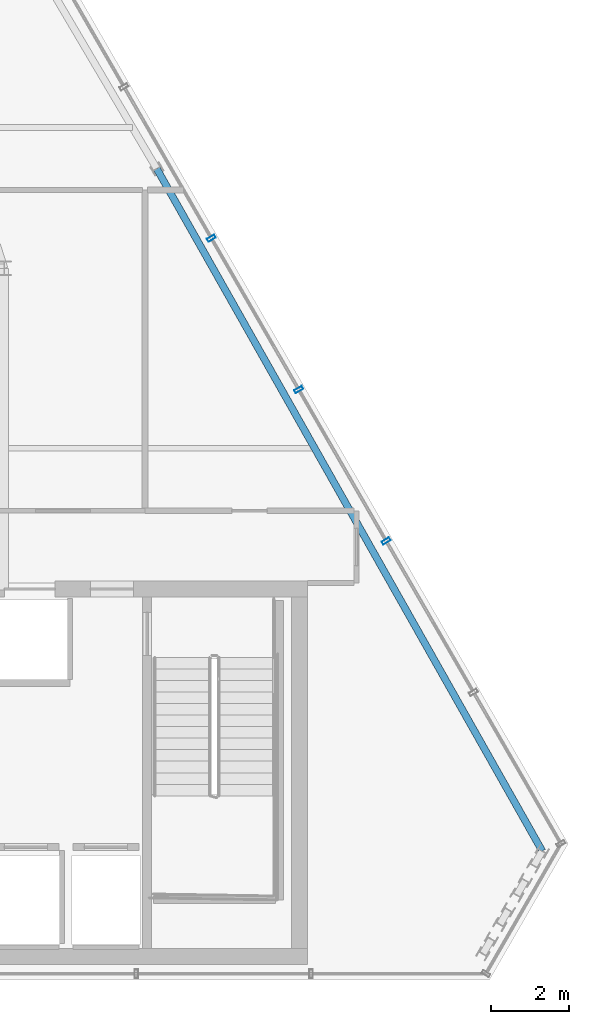
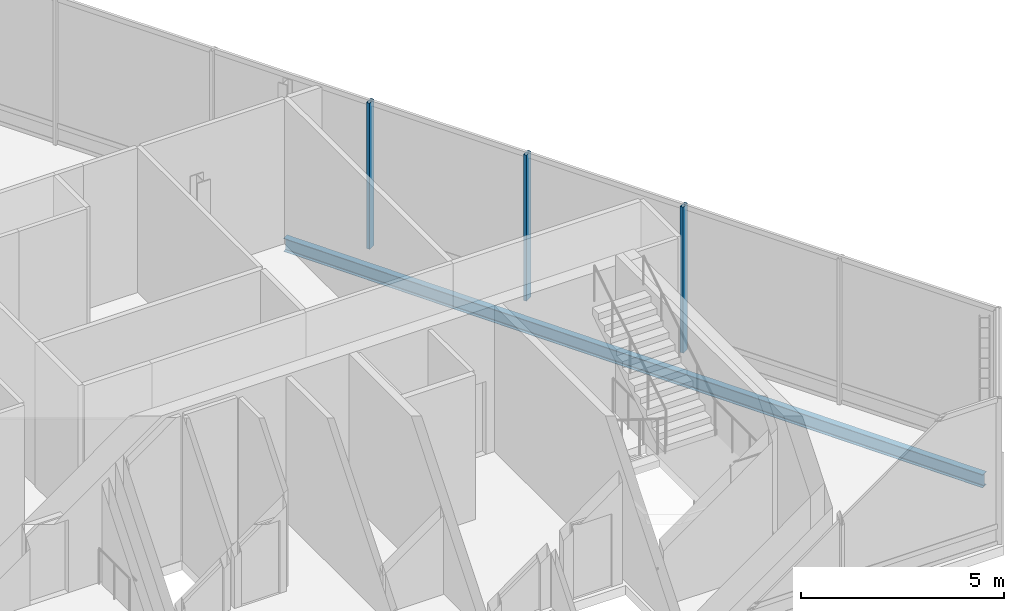
# One storey, part 15 of 25: 3 members, 1 beam, 1 element without a shape of its own.
"""IFC4 building model written with IfcOpenShell, lengths in metres."""

from ifc_helpers import new_model, si_unit, direction, frame, origin, origin_2d, place, context, subcontext, project, spatial, hollow_rectangle, i_section, extrude, material, layer, layer_set, material_profile, profile_set, type_object, element, aggregate, save


model = new_model("IFC4")

# Units and contexts
model_context = context("Model", 3, precision=1e-05, world=origin(), true_north=direction((0.0, 1.0)))
body_context = subcontext(model_context, "Body", "Model", "MODEL_VIEW")
ifc_project = project(units=[si_unit("LENGTHUNIT", "METRE"), si_unit("AREAUNIT", "SQUARE_METRE"), si_unit("VOLUMEUNIT", "CUBIC_METRE"), si_unit("PLANEANGLEUNIT", "RADIAN"), si_unit("MASSUNIT", "GRAM", prefix="KILO")], contexts=[model_context])

# Site, building, storey
site_placement = place(None, origin())
site = spatial("IfcSite", under=ifc_project, at=site_placement, CompositionType="ELEMENT")
building_placement = place(site_placement, origin())
building = spatial("IfcBuilding", under=site, at=building_placement, Name="Ndaravel Arena Tower", CompositionType="ELEMENT")
storey_placement = place(building_placement, frame((0.0, 0.0, 303.300048828125)))
storey = spatial("IfcBuildingStorey", under=building, at=storey_placement, Name="L74", CompositionType="ELEMENT", Elevation=303.300048828125)

# Beam
ifc_material_1 = material(Name="Steel S355", Category="steel")
ifc_material_profile_1 = material_profile(ifc_material_1, i_section(OverallWidth=0.179931640625, OverallDepth=0.39990234375, WebThickness=0.008544921875, FlangeThickness=0.013427734375, FilletRadius=0.02099609375, at=origin_2d()), Name="IPE 400")
ifc_profile_set_1 = profile_set([ifc_material_profile_1], Name="Steel S355")
beam_type = type_object("IfcBeamType", Name="BM-SPAN-IPE400", PredefinedType="SPANDREL", material=ifc_profile_set_1)
beam_placement = place(storey_placement, frame((63.556884765625, 8.29736328125, -0.47998046875), z_axis=(-0.491859734606, 0.870674452062, 0.0), x_axis=(-0.870674452062, -0.491859734606, 0.0)))
element("IfcBeam", 1, at=beam_placement, inside=storey, type_object=beam_type, Name="L74 Perimeter Spandrel Beam SP-09", PredefinedType="SPANDREL", context=body_context, shape_type="SweptSolid", body=[
    extrude(i_section(OverallWidth=0.179931640625, OverallDepth=0.39990234375, WebThickness=0.008544921875, FlangeThickness=0.013427734375, FilletRadius=0.02099609375, at=origin_2d()), origin(), (0.0, 0.0, 1.0), 20.03955078125),
])

# Curtain wall, members
ifc_material_2 = material(Name="Aluminium", Category="aluminium")
ifc_layer = layer(ifc_material_2, 0.179931640625)
ifc_layer_set = layer_set([ifc_layer], Name="Aluminium")
curtain_wall_type = type_object("IfcCurtainWallType", Name="CW-SYS-04", PredefinedType="NOTDEFINED", material=ifc_layer_set)
curtain_wall_placement = place(storey_placement, origin())
curtain_wall = element("IfcCurtainWall", 2, at=curtain_wall_placement, inside=storey, type_object=curtain_wall_type, Name="L74 Faceted Crystal Curtain Wall CW-L74-E03", PredefinedType="NOTDEFINED")
ifc_material_3 = material(Name="Aluminium", Category="aluminium")
ifc_material_profile_2 = material_profile(ifc_material_3, hollow_rectangle(XDim=0.090087890625, YDim=0.219970703125, WallThickness=0.0048828125, at=origin_2d()), Name="CW MULLION 90x220x5")
ifc_profile_set_2 = profile_set([ifc_material_profile_2], Name="Aluminium")
member_type = type_object("IfcMemberType", Name="MEM-CW-MUL220", PredefinedType="MULLION", material=ifc_profile_set_2)
member_1_placement = place(storey_placement, frame((59.564697265625, 16.2275390625, 0.0), z_axis=(0.0, 0.0, 1.0), x_axis=(-0.5, 0.866025403784, 0.0)))
member_1 = element("IfcMember", 3, at=member_1_placement, type_object=member_type, Name="CW-L74-E03 Mullion 02", PredefinedType="MULLION", context=body_context, shape_type="SweptSolid", body=[
    extrude(hollow_rectangle(XDim=0.090087890625, YDim=0.219970703125, WallThickness=0.0048828125, at=origin_2d()), origin(), (0.0, 0.0, 1.0), 4.39990234375),
])
member_2_placement = place(storey_placement, frame((57.329833984375, 20.0986328125, 0.0), z_axis=(0.0, 0.0, 1.0), x_axis=(-0.5, 0.866025403784, 0.0)))
member_2 = element("IfcMember", 4, at=member_2_placement, type_object=member_type, Name="CW-L74-E03 Mullion 03", PredefinedType="MULLION", context=body_context, shape_type="SweptSolid", body=[
    extrude(hollow_rectangle(XDim=0.090087890625, YDim=0.219970703125, WallThickness=0.0048828125, at=origin_2d()), origin(), (0.0, 0.0, 1.0), 4.39990234375),
])
member_3_placement = place(storey_placement, frame((55.0947265625, 23.9697265625, 0.0), z_axis=(0.0, 0.0, 1.0), x_axis=(-0.5, 0.866025403784, 0.0)))
member_3 = element("IfcMember", 5, at=member_3_placement, type_object=member_type, Name="CW-L74-E03 Mullion 04", PredefinedType="MULLION", context=body_context, shape_type="SweptSolid", body=[
    extrude(hollow_rectangle(XDim=0.090087890625, YDim=0.219970703125, WallThickness=0.0048828125, at=origin_2d()), origin(), (0.0, 0.0, 1.0), 4.39990234375),
])
aggregate(curtain_wall, [member_1, member_2, member_3])

save(model, "model.ifc")
